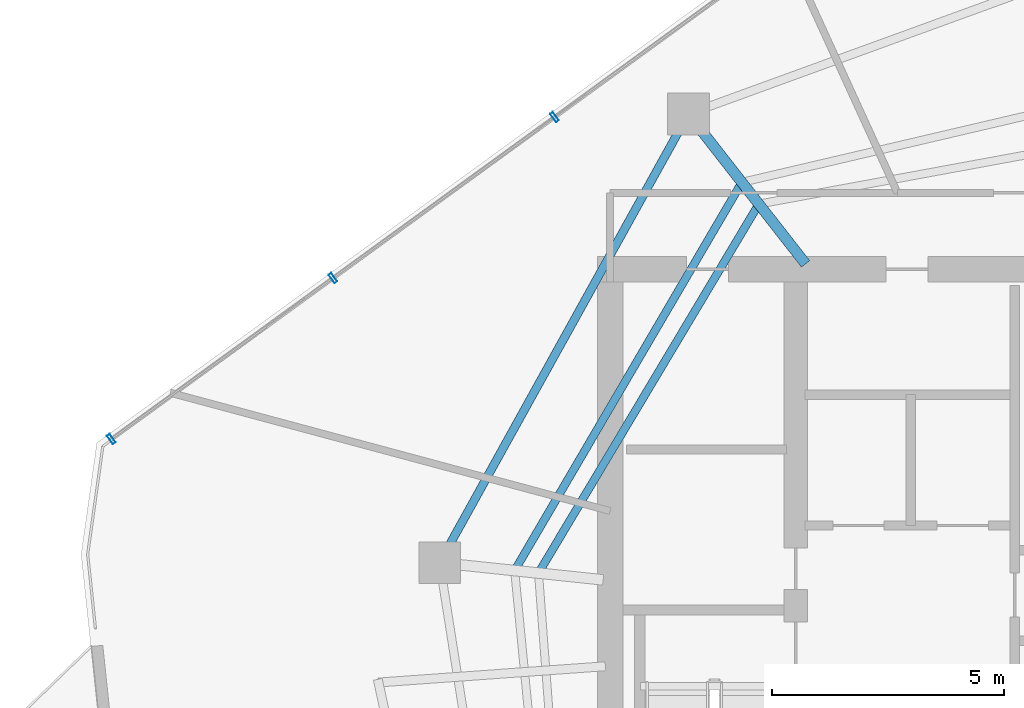
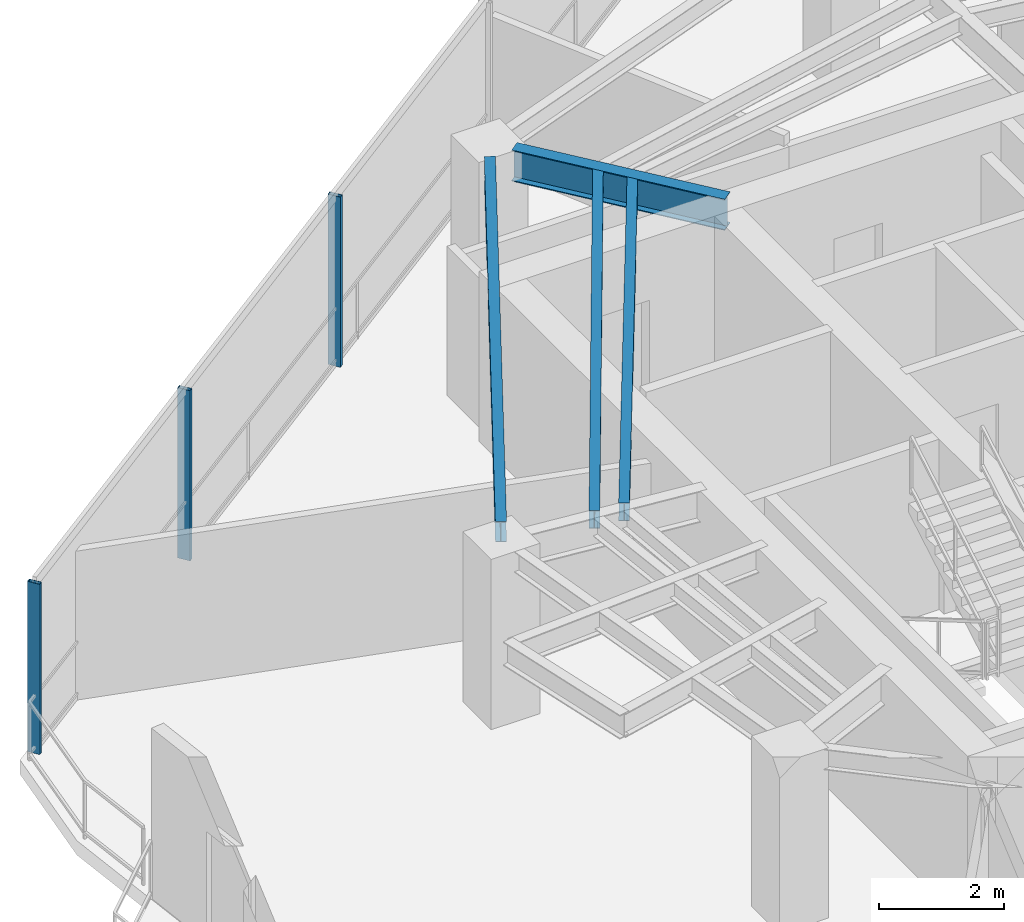
# One storey, part 7 of 20: 4 beams, 3 members, 1 element without a shape of its own.
"""IFC4 building model written with IfcOpenShell, lengths in metres."""

import ifcopenshell
import ifcopenshell.guid

model = None  # the IFC model being written
_history = None  # IfcOwnerHistory: only IFC2X3 demands one
_inside = {}  # id of a spatial element -> (the spatial element, [elements in it])
_under = {}  # id of a project, library or spatial element -> (it, [spatial elements below it])
_declared = {}  # id of a project -> (the project, [libraries it declares])
_typed = {}  # id of a type object -> (the type object, [elements of that type])
_made_of = {}  # id of a material, layer set ... -> (it, [elements and type objects made of it])


def new_model(schema):
    """Start an empty IFC model of exactly this schema.

    Asked for "IFC4X3", IfcOpenShell would pick the latest addendum, in which some entities
    have other attributes; the version numbers below select the first issue.
    IFC2X3 requires an IfcOwnerHistory on every rooted entity: one is made here for all.
    """
    global model, _history
    if schema == "IFC4X3":
        model = ifcopenshell.file(schema_version=(4, 3, 0, 0))
    else:
        model = ifcopenshell.file(schema=schema)
    _inside.clear()
    _under.clear()
    _declared.clear()
    _typed.clear()
    _made_of.clear()
    _history = None
    if model.schema == "IFC2X3":
        org = make("IfcOrganization", Name="unknown")
        user = make(
            "IfcPersonAndOrganization",
            ThePerson=make("IfcPerson", FamilyName="unknown"),
            TheOrganization=org,
        )
        app = make(
            "IfcApplication",
            ApplicationDeveloper=org,
            Version="unknown",
            ApplicationFullName="unknown",
            ApplicationIdentifier="unknown",
        )
        _history = make(
            "IfcOwnerHistory",
            OwningUser=user,
            OwningApplication=app,
            ChangeAction="ADDED",
            CreationDate=0,
        )
    return model


def make(cls, **values):
    """One entity of the class cls with the attributes given. An attribute that is None is left unset."""
    return model.create_entity(
        cls, **{name: value for name, value in values.items() if value is not None}
    )


def rooted(cls, **values):
    """An entity with a GlobalId (a new one), such as an element, a storey or a relation."""
    return make(cls, GlobalId=ifcopenshell.guid.new(), OwnerHistory=_history, **values)


def si_unit(unit_type, name, prefix=None):
    """IfcSIUnit, for example si_unit("LENGTHUNIT", "METRE", prefix="MILLI")."""
    return make("IfcSIUnit", UnitType=unit_type, Prefix=prefix, Name=name)


def assignment(units):
    """IfcUnitAssignment: the units of a project."""
    return None if units is None else make("IfcUnitAssignment", Units=units)


def point(xyz):
    """IfcCartesianPoint."""
    return None if xyz is None else make("IfcCartesianPoint", Coordinates=xyz)


def direction(xyz):
    """IfcDirection."""
    return None if xyz is None else make("IfcDirection", DirectionRatios=xyz)


def frame(location, z_axis=None, x_axis=None):
    """IfcAxis2Placement3D, a coordinate frame: its origin and axes. An axis left out is left unset."""
    return make(
        "IfcAxis2Placement3D",
        Location=point(location),
        Axis=direction(z_axis),
        RefDirection=direction(x_axis),
    )


def frame_2d(location, x_axis=None):
    """IfcAxis2Placement2D, a coordinate frame in the plane: its origin and x axis."""
    return make(
        "IfcAxis2Placement2D", Location=point(location), RefDirection=direction(x_axis)
    )


def origin():
    """The frame at (0, 0, 0) with its axes left unset."""
    return frame((0.0, 0.0, 0.0))


def origin_2d():
    """The frame at (0, 0) in the plane with its x axis left unset."""
    return frame_2d((0.0, 0.0))


def place(relative_to, where):
    """IfcLocalPlacement: puts the frame where relative to a parent placement (None: the world)."""
    return make(
        "IfcLocalPlacement", PlacementRelTo=relative_to, RelativePlacement=where
    )


def context(
    kind, dimensions, precision=None, world=None, true_north=None, identifier=None
):
    """IfcGeometricRepresentationContext, for example the 3D "Model" context."""
    return make(
        "IfcGeometricRepresentationContext",
        ContextIdentifier=identifier,
        ContextType=kind,
        CoordinateSpaceDimension=dimensions,
        Precision=precision,
        WorldCoordinateSystem=world,
        TrueNorth=true_north,
    )


def subcontext(parent, identifier, kind, view, scale=None):
    """IfcGeometricRepresentationSubContext, for example "Body" below "Model"."""
    return make(
        "IfcGeometricRepresentationSubContext",
        ContextIdentifier=identifier,
        ContextType=kind,
        ParentContext=parent,
        TargetScale=scale,
        TargetView=view,
    )


def project(units=None, contexts=None):
    """IfcProject with its units and contexts."""
    return rooted(
        "IfcProject",
        Name="project",
        RepresentationContexts=contexts,
        UnitsInContext=assignment(units),
    )


def spatial(cls, under=None, at=None, **own):
    """A site, building, storey or space (cls), placed at a placement, below another one or the project."""
    s = rooted(cls, ObjectPlacement=at, **own)
    if under is not None:
        _under.setdefault(under.id(), (under, []))[1].append(s)
    return s


def profile(cls, at=None, kind="AREA", **sizes):
    """A parametric profile (cls). Its sizes go by their IFC names, for example OverallWidth=200.0."""
    return make(cls, ProfileType=kind, Position=at, **sizes)


def hollow_rectangle(**sizes):
    """IfcRectangleHollowProfileDef."""
    return profile("IfcRectangleHollowProfileDef", **sizes)


def i_section(**sizes):
    """IfcIShapeProfileDef."""
    return profile("IfcIShapeProfileDef", **sizes)


def extrude(swept, where, along, depth):
    """IfcExtrudedAreaSolid: the profile swept, set in the frame where, extruded along a direction by depth."""
    return make(
        "IfcExtrudedAreaSolid",
        SweptArea=swept,
        Position=where,
        ExtrudedDirection=direction(along),
        Depth=depth,
    )


def shape(context_of_items, identifier, shape_type, items):
    """IfcShapeRepresentation: the items that make up one representation, for example the "Body"."""
    return make(
        "IfcShapeRepresentation",
        ContextOfItems=context_of_items,
        RepresentationIdentifier=identifier,
        RepresentationType=shape_type,
        Items=items,
    )


def material(Name=None, Category=None):
    """IfcMaterial."""
    return make("IfcMaterial", Name=Name, Category=Category)


def layer(
    of_material, thickness, ventilated=None, Name=None, Category=None, Priority=None
):
    """IfcMaterialLayer: one layer of a wall or slab, of a material (None: an air gap)."""
    return make(
        "IfcMaterialLayer",
        Material=of_material,
        LayerThickness=thickness,
        IsVentilated=ventilated,
        Name=Name,
        Category=Category,
        Priority=Priority,
    )


def layer_set(layers, Name=None):
    """IfcMaterialLayerSet."""
    return make("IfcMaterialLayerSet", MaterialLayers=layers, LayerSetName=Name)


def material_profile(
    of_material, cross_section, Name=None, Category=None, Priority=None
):
    """IfcMaterialProfile: a cross section and its material."""
    return make(
        "IfcMaterialProfile",
        Name=Name,
        Material=of_material,
        Profile=cross_section,
        Priority=Priority,
        Category=Category,
    )


def profile_set(profiles, Name=None, composite=None):
    """IfcMaterialProfileSet."""
    return make(
        "IfcMaterialProfileSet",
        Name=Name,
        MaterialProfiles=profiles,
        CompositeProfile=composite,
    )


def made_of(thing, what):
    """Note that an element or type object is made of a material, layer set ...; save() writes the relation."""
    if what is not None:
        _made_of.setdefault(what.id(), (what, []))[1].append(thing)
    return thing


def type_object(cls, material=None, **own):
    """A type object (cls), such as IfcWallType, which elements share."""
    return made_of(rooted(cls, **own), material)


def element(
    cls,
    number,
    at=None,
    inside=None,
    cuts=None,
    type_object=None,
    material=None,
    context=None,
    identifier="Body",
    shape_type=None,
    held_by="IfcProductDefinitionShape",
    body=None,
    shapes=None,
    **own,
):
    """One element of the class cls, such as IfcWall. Its Tag is "e" and its number.

    at: its placement. inside: the storey or other place that contains it. cuts: it is an
    opening in that element (IfcRelVoidsElement). A single representation is given by context,
    identifier, shape_type and body (its items); several are given by shapes. held_by: the class
    of the entity that holds the representations. save() writes the other relations.
    """
    e = rooted(cls, Tag="e%d" % number, ObjectPlacement=at, **own)
    if body is not None:
        shapes = [shape(context, identifier, shape_type, body)]
    if shapes is not None:
        e.Representation = make(held_by, Representations=shapes)
    if inside is not None:
        _inside.setdefault(inside.id(), (inside, []))[1].append(e)
    if cuts is not None:
        rooted(
            "IfcRelVoidsElement", RelatingBuildingElement=cuts, RelatedOpeningElement=e
        )
    if type_object is not None:
        _typed.setdefault(type_object.id(), (type_object, []))[1].append(e)
    return made_of(e, material)


def aggregate(whole, parts):
    """IfcRelAggregates: a whole, such as a stair, and the parts it consists of."""
    return rooted("IfcRelAggregates", RelatingObject=whole, RelatedObjects=parts)


def save(model, path):
    """Write the relations noted so far, then the file.

    IfcRelAggregates (storeys below a building ...), IfcRelContainedInSpatialStructure (elements
    in a storey), IfcRelDefinesByType, IfcRelAssociatesMaterial and IfcRelDeclares: one each for
    every whole, place, type object, material and project.
    """
    for whole, parts in _under.values():
        aggregate(whole, parts)
    for where, things in _inside.values():
        rooted(
            "IfcRelContainedInSpatialStructure",
            RelatedElements=things,
            RelatingStructure=where,
        )
    for kind, things in _typed.values():
        rooted("IfcRelDefinesByType", RelatedObjects=things, RelatingType=kind)
    for what, things in _made_of.values():
        rooted("IfcRelAssociatesMaterial", RelatedObjects=things, RelatingMaterial=what)
    for by, libraries in _declared.values():
        rooted("IfcRelDeclares", RelatingContext=by, RelatedDefinitions=libraries)
    model.write(path)


model = new_model("IFC4")

# Units and contexts
model_context = context("Model", 3, precision=1e-05, world=origin(), true_north=direction((0.0, 1.0)))
body_context = subcontext(model_context, "Body", "Model", "MODEL_VIEW")
ifc_project = project(units=[si_unit("LENGTHUNIT", "METRE"), si_unit("AREAUNIT", "SQUARE_METRE"), si_unit("VOLUMEUNIT", "CUBIC_METRE"), si_unit("PLANEANGLEUNIT", "RADIAN"), si_unit("MASSUNIT", "GRAM", prefix="KILO")], contexts=[model_context])

# Site, building, storey
site_placement = place(None, origin())
site = spatial("IfcSite", under=ifc_project, at=site_placement, CompositionType="ELEMENT")
building_placement = place(site_placement, origin())
building = spatial("IfcBuilding", under=site, at=building_placement, Name="Qarnah Convention Tower", CompositionType="ELEMENT")
storey_placement = place(building_placement, frame((0.0, 0.0, 202.199951171875)))
storey = spatial("IfcBuildingStorey", under=building, at=storey_placement, Name="L54", CompositionType="ELEMENT", Elevation=202.199951171875)

# Beams
ifc_material_1 = material(Name="Structural steel S355JR", Category="steel")
ifc_material_profile_1 = material_profile(ifc_material_1, i_section(OverallWidth=0.172119140625, OverallDepth=0.35595703125, WebThickness=0.007080078125, FlangeThickness=0.011962890625, at=origin_2d()), Name="W360X51")
ifc_profile_set_1 = profile_set([ifc_material_profile_1], Name="Structural steel S355JR")
beam_type_1 = type_object("IfcBeamType", Name="BM-JST-W360", PredefinedType="JOIST", material=ifc_profile_set_1)
beam_1_placement = place(storey_placement, frame((29.594970703125, 35.998046875, 3.14208984375), z_axis=(-0.505140510309, -0.863037116725, 0.0), x_axis=(0.863037116725, -0.505140510309, 0.0)))
element("IfcBeam", 1, at=beam_1_placement, inside=storey, type_object=beam_type_1, Name="L54 joist BM-L54-SJST-04", PredefinedType="JOIST", context=body_context, shape_type="SweptSolid", body=[
    extrude(i_section(OverallWidth=0.172119140625, OverallDepth=0.35595703125, WebThickness=0.007080078125, FlangeThickness=0.011962890625, at=origin_2d()), origin(), (0.0, 0.0, 1.0), 9.513916015625),
])
beam_2_placement = place(storey_placement, frame((29.9599609375, 35.530029296875, 3.14208984375), z_axis=(-0.512644523627, -0.858600950614, 0.0), x_axis=(0.858600950614, -0.512644523627, 0.0)))
element("IfcBeam", 2, at=beam_2_placement, inside=storey, type_object=beam_type_1, Name="L54 joist BM-L54-IJST-04", PredefinedType="JOIST", context=body_context, shape_type="SweptSolid", body=[
    extrude(i_section(OverallWidth=0.172119140625, OverallDepth=0.35595703125, WebThickness=0.007080078125, FlangeThickness=0.011962890625, at=origin_2d()), origin(), (0.0, 0.0, 1.0), 9.082275390625),
])
ifc_material_profile_2 = material_profile(ifc_material_1, i_section(OverallWidth=0.22802734375, OverallDepth=0.60791015625, WebThickness=0.010986328125, FlangeThickness=0.01708984375, at=origin_2d()), Name="W610X113")
ifc_profile_set_2 = profile_set([ifc_material_profile_2], Name="Structural steel S355JR")
beam_type_2 = type_object("IfcBeamType", Name="BM-RAD-W610B", PredefinedType="BEAM", material=ifc_profile_set_2)
beam_3_placement = place(storey_placement, frame((31.013916015625, 34.318115234375, 3.01611328125), z_axis=(-0.615807906571, 0.787896327066, 0.0), x_axis=(-0.787896327066, -0.615807906571, 0.0)))
element("IfcBeam", 3, at=beam_3_placement, inside=storey, type_object=beam_type_2, Name="L54 beam BM-L54-RAD-04", PredefinedType="BEAM", context=body_context, shape_type="SweptSolid", body=[
    extrude(i_section(OverallWidth=0.22802734375, OverallDepth=0.60791015625, WebThickness=0.010986328125, FlangeThickness=0.01708984375, at=origin_2d()), origin(), (0.0, 0.0, 1.0), 3.671630859375),
])
ifc_material_profile_3 = material_profile(ifc_material_1, i_section(OverallWidth=0.179931640625, OverallDepth=0.39990234375, WebThickness=0.009033203125, FlangeThickness=0.013916015625, at=origin_2d()), Name="IPE400")
ifc_profile_set_3 = profile_set([ifc_material_profile_3], Name="Structural steel S355JR")
beam_type_3 = type_object("IfcBeamType", Name="BM-SPN-IPE400", PredefinedType="SPANDREL", material=ifc_profile_set_3)
beam_4_placement = place(storey_placement, frame((28.27490234375, 37.1650390625, 3.1201171875), z_axis=(-0.48479945923, -0.874625339406, 0.0), x_axis=(0.874625339406, -0.48479945923, 0.0)))
element("IfcBeam", 4, at=beam_4_placement, inside=storey, type_object=beam_type_3, Name="L54 spandrel BM-L54-SPN-04", PredefinedType="SPANDREL", context=body_context, shape_type="SweptSolid", body=[
    extrude(i_section(OverallWidth=0.179931640625, OverallDepth=0.39990234375, WebThickness=0.009033203125, FlangeThickness=0.013916015625, at=origin_2d()), origin(), (0.0, 0.0, 1.0), 10.177001953125),
])

# Curtain wall, members
ifc_material_2 = material(Name="Tempered Low-E dark glass", Category="glass")
ifc_layer = layer(ifc_material_2, 0.174072265625)
ifc_layer_set = layer_set([ifc_layer], Name="Tempered Low-E dark glass")
curtain_wall_type = type_object("IfcCurtainWallType", Name="CWS-04", PredefinedType="NOTDEFINED", material=ifc_layer_set)
curtain_wall_placement = place(storey_placement, origin())
curtain_wall = element("IfcCurtainWall", 5, at=curtain_wall_placement, inside=storey, type_object=curtain_wall_type, Name="L54 unitised curtain wall CW-L54-F3", PredefinedType="NOTDEFINED")
ifc_material_3 = material(Name="Black anodised aluminium", Category="aluminium")
ifc_material_profile_4 = material_profile(ifc_material_3, hollow_rectangle(XDim=0.074951171875, YDim=0.219970703125, WallThickness=0.0048828125, at=origin_2d()), Name="MUL-75X220")
ifc_profile_set_4 = profile_set([ifc_material_profile_4], Name="Black anodised aluminium")
member_type = type_object("IfcMemberType", Name="MUL-T4", PredefinedType="MULLION", material=ifc_profile_set_4)
member_1_placement = place(storey_placement, frame((16.052978515625, 30.54296875, 0.0), z_axis=(0.0, 0.0, 1.0), x_axis=(0.809004150179, 0.587802930405, 0.0)))
member_1 = element("IfcMember", 6, at=member_1_placement, type_object=member_type, Name="CW-L54-F3 mullion 1", PredefinedType="MULLION", context=body_context, shape_type="SweptSolid", body=[
    extrude(hollow_rectangle(XDim=0.074951171875, YDim=0.219970703125, WallThickness=0.0048828125, at=origin_2d()), origin(), (0.0, 0.0, 1.0), 3.320068359375),
])
member_2_placement = place(storey_placement, frame((20.827880859375, 34.012451171875, 0.0), z_axis=(0.0, 0.0, 1.0), x_axis=(0.809004150179, 0.587802930405, 0.0)))
member_2 = element("IfcMember", 7, at=member_2_placement, type_object=member_type, Name="CW-L54-F3 mullion 2", PredefinedType="MULLION", context=body_context, shape_type="SweptSolid", body=[
    extrude(hollow_rectangle(XDim=0.074951171875, YDim=0.219970703125, WallThickness=0.0048828125, at=origin_2d()), origin(), (0.0, 0.0, 1.0), 3.320068359375),
])
member_3_placement = place(storey_placement, frame((25.60302734375, 37.481689453125, 0.0), z_axis=(0.0, 0.0, 1.0), x_axis=(0.809004150179, 0.587802930405, 0.0)))
member_3 = element("IfcMember", 8, at=member_3_placement, type_object=member_type, Name="CW-L54-F3 mullion 3", PredefinedType="MULLION", context=body_context, shape_type="SweptSolid", body=[
    extrude(hollow_rectangle(XDim=0.074951171875, YDim=0.219970703125, WallThickness=0.0048828125, at=origin_2d()), origin(), (0.0, 0.0, 1.0), 3.320068359375),
])
aggregate(curtain_wall, [member_1, member_2, member_3])

save(model, "model.ifc")
